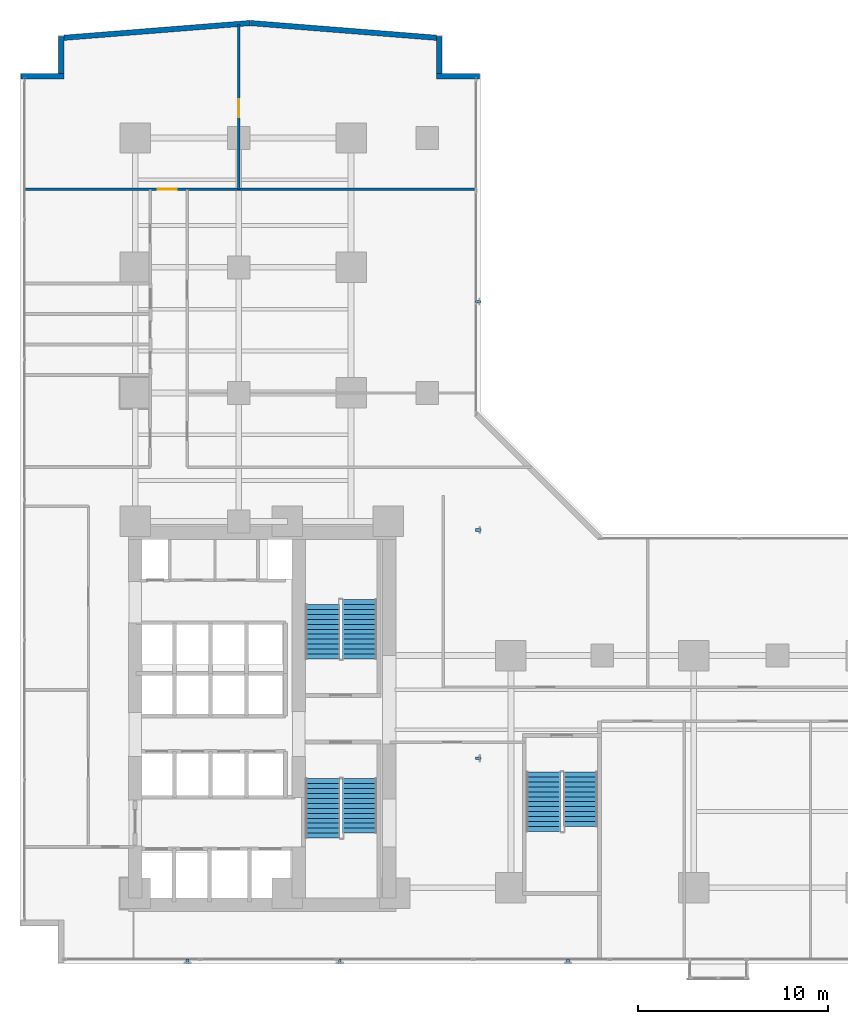
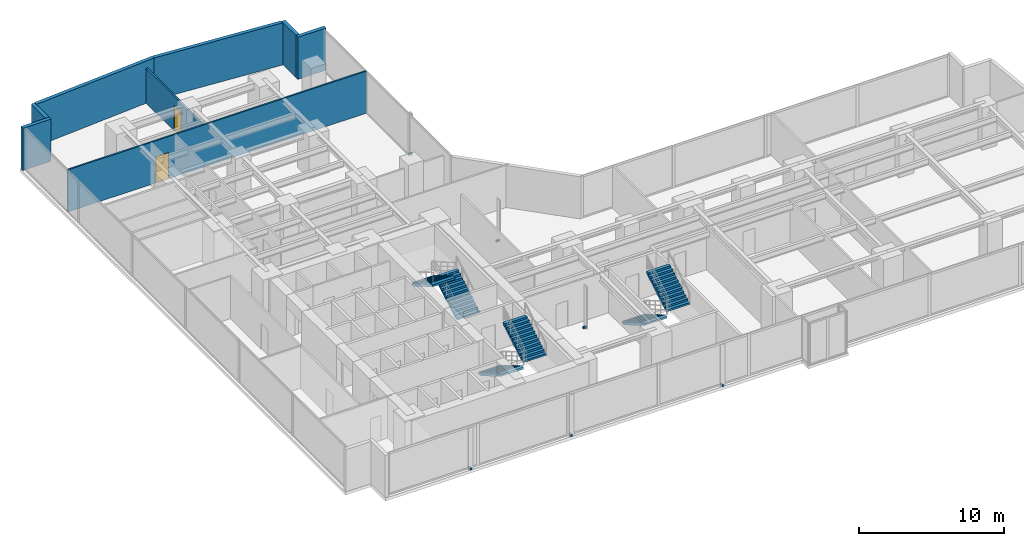
# One storey, part 25 of 30: 8 walls, 6 discrete accessories, 6 stair flights, 2 doors, 2 openings, 3 elements without a shape of their own.
"""IFC4 building model written with IfcOpenShell, lengths in metres."""

from ifc_helpers import new_model, si_unit, direction, frame, frame_2d, origin, origin_with_axes, origin_2d, place, context, subcontext, project, spatial, polyline, rectangle, outline, extrude, source, transform, mapped, material, layer, layer_set, type_object, element, fill, aggregate, save


model = new_model("IFC4")

# Units and contexts
model_context = context("Model", 3, precision=1e-05, world=origin(), true_north=direction((0.0, 1.0)))
body_context = subcontext(model_context, "Body", "Model", "MODEL_VIEW")
ifc_project = project(units=[si_unit("LENGTHUNIT", "METRE"), si_unit("AREAUNIT", "SQUARE_METRE"), si_unit("VOLUMEUNIT", "CUBIC_METRE"), si_unit("PLANEANGLEUNIT", "RADIAN"), si_unit("MASSUNIT", "GRAM", prefix="KILO")], contexts=[model_context])

# Site, building, storey
site_placement = place(None, origin())
site = spatial("IfcSite", under=ifc_project, at=site_placement, CompositionType="ELEMENT")
building_placement = place(site_placement, origin())
building = spatial("IfcBuilding", under=site, at=building_placement, Name="Kolvaren Waterfront Exchange", CompositionType="ELEMENT")
storey_placement = place(building_placement, frame((0.0, 0.0, 71.39990234375)))
storey = spatial("IfcBuildingStorey", under=building, at=storey_placement, Name="L18", CompositionType="ELEMENT", Elevation=71.39990234375)

# Walls
ifc_material_1 = material(Name="Precast concrete C40/50", Category="concrete")
ifc_layer_1 = layer(ifc_material_1, 0.280029296875, Name="Precast concrete C40/50")
ifc_layer_set_1 = layer_set([ifc_layer_1], Name="Precast concrete C40/50")
wall_type_1 = type_object("IfcWallType", Name="ARC-EXT-TERR-280", PredefinedType="SOLIDWALL", material=ifc_layer_set_1)
wall_1_placement = place(storey_placement, frame((23.300048828125, 47.840087890625, 0.0), z_axis=(0.0, 0.0, 1.0), x_axis=(1.0, 0.0, 0.0)))
element("IfcWall", 1, at=wall_1_placement, inside=storey, type_object=wall_type_1, Name="L18 notched corner spandrel pier NNE-A", PredefinedType="SOLIDWALL", context=body_context, shape_type="SweptSolid", body=[
    extrude(rectangle(XDim=2.239990234375, YDim=0.280029296875, at=frame_2d((1.1201171875, 0.0))), origin(), (0.0, 0.0, 1.0), 3.5400390625),
])
wall_2_placement = place(storey_placement, frame((23.43994140625, 47.97998046875, 0.0), z_axis=(0.0, 0.0, 1.0), x_axis=(0.0, 1.0, 0.0)))
element("IfcWall", 2, at=wall_2_placement, inside=storey, type_object=wall_type_1, Name="L18 notched corner spandrel pier NNE-B", PredefinedType="SOLIDWALL", context=body_context, shape_type="SweptSolid", body=[
    extrude(rectangle(XDim=1.9599609375, YDim=0.280029296875, at=frame_2d((0.97998046875, 0.0))), origin(), (0.0, 0.0, 1.0), 3.5400390625),
])
wall_3_placement = place(storey_placement, frame((1.4599609375, 47.840087890625, 0.0), z_axis=(0.0, 0.0, 1.0), x_axis=(1.0, 0.0, 0.0)))
element("IfcWall", 3, at=wall_3_placement, inside=storey, type_object=wall_type_1, Name="L18 notched corner spandrel pier NW-A", PredefinedType="SOLIDWALL", context=body_context, shape_type="SweptSolid", body=[
    extrude(rectangle(XDim=2.239990234375, YDim=0.280029296875, at=frame_2d((1.1201171875, 0.0))), origin(), (0.0, 0.0, 1.0), 3.5400390625),
])
wall_4_placement = place(storey_placement, frame((3.56005859375, 47.97998046875, 0.0), z_axis=(0.0, 0.0, 1.0), x_axis=(0.0, 1.0, 0.0)))
element("IfcWall", 4, at=wall_4_placement, inside=storey, type_object=wall_type_1, Name="L18 notched corner spandrel pier NW-B", PredefinedType="SOLIDWALL", context=body_context, shape_type="SweptSolid", body=[
    extrude(rectangle(XDim=1.9599609375, YDim=0.280029296875, at=frame_2d((0.97998046875, 0.0))), origin(), (0.0, 0.0, 1.0), 3.5400390625),
])
for number, where, z_axis, x_axis, name in (
    (5, (23.288330078125, 49.8642578125, 0.0), (0.0, 0.0, 1.0), (-0.996878337682, 0.078953023125, 0.0), "L18 north prow faceted facade wall 1"),
    (6, (13.49267578125, 50.638916015625, 0.0), (0.0, 0.0, 1.0), (-0.996878337682, -0.078953023125, 0.0), "L18 north prow faceted facade wall 2"),
):
    element("IfcWall", number, at=place(storey_placement, frame(where, z_axis=z_axis, x_axis=x_axis)), inside=storey, type_object=wall_type_1, Name=name, PredefinedType="SOLIDWALL", context=body_context, shape_type="SweptSolid", body=[
        extrude(rectangle(XDim=9.8115234375, YDim=0.280029296875, at=frame_2d((4.90576171875, 0.0))), origin(), (0.0, 0.0, 1.0), 3.5400390625),
    ])

# Wall, opening, door
ifc_material_2 = material(Name="Acoustic gypsum steel stud", Category="steel")
ifc_layer_2 = layer(ifc_material_2, 0.125, Name="Acoustic gypsum steel stud")
ifc_layer_set_2 = layer_set([ifc_layer_2], Name="Acoustic gypsum steel stud")
wall_type_2 = type_object("IfcWallType", Name="ARC-PART-125", PredefinedType="PARTITIONING", material=ifc_layer_set_2)
wall_5_placement = place(storey_placement, frame((1.639892578125, 41.89990234375, 0.0), z_axis=(0.0, 0.0, 1.0), x_axis=(1.0, 0.0, 0.0)))
wall_5 = element("IfcWall", 7, at=wall_5_placement, inside=storey, type_object=wall_type_2, Name="L18 interior wall PW-L18-NTIP-S", PredefinedType="PARTITIONING", context=body_context, shape_type="SweptSolid", body=[
    extrude(rectangle(XDim=23.72021484375, YDim=0.125, at=frame_2d((11.860107421875, 0.0))), origin(), (0.0, 0.0, 1.0), 3.5400390625),
])
opening_1_placement = place(wall_5_placement, frame((7.010009765625, 0.0, 0.0)))
opening_1 = element("IfcOpeningElement", 8, at=opening_1_placement, cuts=wall_5, Name="Opening D03", PredefinedType="OPENING", context=body_context, shape_type="SweptSolid", body=[
    extrude(rectangle(XDim=1.0, YDim=2.199951171875, at=frame_2d((0.5, 1.10009765625))), frame((0.0, 0.072509765625, 0.0), z_axis=(0.0, -1.0, 0.0), x_axis=(1.0, 0.0, 0.0)), (0.0, 0.0, 1.0), 0.14501953125),
])
ifc_material_3 = material(Name="Oak veneer accessible timber", Category="wood")
door_type_1 = type_object("IfcDoorType", Name="ARC-DR-1000", OperationType="NOTDEFINED", PredefinedType="DOOR", material=ifc_material_3)
door_1_placement = place(opening_1_placement, origin())
door_1 = element("IfcDoor", 9, at=door_1_placement, inside=storey, type_object=door_type_1, Name="L18 door DR-L18-NTIPW-D (D03)", OperationType="SINGLE_SWING_LEFT", OverallHeight=2.199951171875, OverallWidth=1.0, PredefinedType="DOOR", context=body_context, shape_type="SweptSolid", body=[
    extrude(rectangle(XDim=1.0, YDim=2.199951171875, at=frame_2d((0.5, 1.10009765625))), frame((0.0, 0.02490234375, 0.0), z_axis=(0.0, -1.0, 0.0), x_axis=(1.0, 0.0, 0.0)), (0.0, 0.0, 1.0), 0.050048828125),
])
fill(opening_1, door_1)

wall_6_placement = place(storey_placement, frame((12.89990234375, 41.89990234375, 0.0), z_axis=(0.0, 0.0, 1.0), x_axis=(0.0, 1.0, 0.0)))
wall_6 = element("IfcWall", 10, at=wall_6_placement, inside=storey, type_object=wall_type_2, Name="L18 interior wall PW-L18-NTIP-DIV", PredefinedType="PARTITIONING", context=body_context, shape_type="SweptSolid", body=[
    extrude(rectangle(XDim=8.66015625, YDim=0.125, at=frame_2d((4.330078125, 0.0))), origin(), (0.0, 0.0, 1.0), 2.940185546875),
])
opening_2_placement = place(wall_6_placement, frame((3.77880859375, 0.0, 0.0)))
opening_2 = element("IfcOpeningElement", 11, at=opening_2_placement, cuts=wall_6, Name="Opening D02", PredefinedType="OPENING", context=body_context, shape_type="SweptSolid", body=[
    extrude(rectangle(XDim=0.949951171875, YDim=2.14990234375, at=frame_2d((0.47509765625, 1.074951171875))), frame((0.0, 0.072509765625, 0.0), z_axis=(0.0, -1.0, 0.0), x_axis=(1.0, 0.0, 0.0)), (0.0, 0.0, 1.0), 0.14501953125),
])
ifc_material_4 = material(Name="Oak veneer acoustic timber", Category="wood")
door_type_2 = type_object("IfcDoorType", Name="ARC-DR-950", OperationType="NOTDEFINED", PredefinedType="DOOR", material=ifc_material_4)
door_2_placement = place(opening_2_placement, origin())
door_2 = element("IfcDoor", 12, at=door_2_placement, inside=storey, type_object=door_type_2, Name="L18 door DR-L18-NTIPE-D (D02)", OperationType="SINGLE_SWING_RIGHT", OverallHeight=2.14990234375, OverallWidth=0.949951171875, PredefinedType="DOOR", context=body_context, shape_type="SweptSolid", body=[
    extrude(rectangle(XDim=0.949951171875, YDim=2.14990234375, at=frame_2d((0.47509765625, 1.074951171875))), frame((0.0, 0.02490234375, 0.0), z_axis=(0.0, -1.0, 0.0), x_axis=(1.0, 0.0, 0.0)), (0.0, 0.0, 1.0), 0.050048828125),
])
fill(opening_2, door_2)

# Stair, stair flights
ifc_material_5 = material(Name="Concrete C40/50", Category="concrete")
stair_type = type_object("IfcStairType", Name="ARC-STAIR-3800", PredefinedType="HALF_TURN_STAIR", material=ifc_material_5)
stair_1_placement = place(storey_placement, origin())
stair_1 = element("IfcStair", 13, at=stair_1_placement, inside=storey, type_object=stair_type, Name="L18 Smoke-proof exit stair ST1", PredefinedType="HALF_TURN_STAIR")
stair_flight_type = type_object("IfcStairFlightType", Name="ARC-FLIGHT-3800", PredefinedType="STRAIGHT", material=ifc_material_5)
stair_flight_1_placement = place(storey_placement, frame((17.300048828125, 10.929931640625, 0.0), z_axis=(0.0, 0.0, 1.0), x_axis=(0.0, -1.0, 0.0)))
stair_flight_1 = element("IfcStairFlight", 14, at=stair_flight_1_placement, type_object=stair_flight_type, Name="ST1 flight 1", NumberOfRisers=13, NumberOfTreads=12, PredefinedType="STRAIGHT", RiserHeight=0.152, TreadLength=0.26, context=body_context, shape_type="SweptSolid", body=[
    extrude(outline(polyline([(0.0, 0.0), (0.0, 0.152099609375), (0.260009765625, 0.152099609375), (0.260009765625, 0.303955078125), (0.52001953125, 0.303955078125), (0.52001953125, 0.4560546875), (0.780029296875, 0.4560546875), (0.780029296875, 0.60791015625), (1.0400390625, 0.60791015625), (1.0400390625, 0.760009765625), (1.300048828125, 0.760009765625), (1.300048828125, 0.912109375), (1.56005859375, 0.912109375), (1.56005859375, 1.06396484375), (1.820068359375, 1.06396484375), (1.820068359375, 1.216064453125), (2.080078125, 1.216064453125), (2.080078125, 1.367919921875), (2.340087890625, 1.367919921875), (2.340087890625, 1.52001953125), (2.60009765625, 1.52001953125), (2.60009765625, 1.672119140625), (2.860107421875, 1.672119140625), (2.860107421875, 1.823974609375), (3.1201171875, 1.823974609375), (3.1201171875, 1.97607421875), (3.1201171875, 1.650390625), (0.297119140625, 0.0), (0.0, 0.0)])), frame((0.0, 0.89990234375, 0.0), z_axis=(0.0, -1.0, 0.0), x_axis=(1.0, 0.0, 0.0)), (0.0, 0.0, 1.0), 1.800048828125),
])
stair_flight_2_placement = place(storey_placement, frame((19.260009765625, 8.070068359375, 1.97607421875), z_axis=(0.0, 0.0, 1.0), x_axis=(0.0, 1.0, 0.0)))
stair_flight_2 = element("IfcStairFlight", 15, at=stair_flight_2_placement, type_object=stair_flight_type, Name="ST1 flight 2", NumberOfRisers=12, NumberOfTreads=11, PredefinedType="STRAIGHT", RiserHeight=0.152, TreadLength=0.26, context=body_context, shape_type="SweptSolid", body=[
    extrude(outline(polyline([(0.0, 0.0), (0.0, 0.152099609375), (0.260009765625, 0.152099609375), (0.260009765625, 0.303955078125), (0.52001953125, 0.303955078125), (0.52001953125, 0.4560546875), (0.780029296875, 0.4560546875), (0.780029296875, 0.60791015625), (1.0400390625, 0.60791015625), (1.0400390625, 0.760009765625), (1.300048828125, 0.760009765625), (1.300048828125, 0.912109375), (1.56005859375, 0.912109375), (1.56005859375, 1.06396484375), (1.820068359375, 1.06396484375), (1.820068359375, 1.216064453125), (2.080078125, 1.216064453125), (2.080078125, 1.367919921875), (2.340087890625, 1.367919921875), (2.340087890625, 1.52001953125), (2.60009765625, 1.52001953125), (2.60009765625, 1.672119140625), (2.860107421875, 1.672119140625), (2.860107421875, 1.823974609375), (2.860107421875, 1.498291015625), (0.297119140625, 0.0), (0.0, 0.0)])), frame((0.0, 0.89990234375, 0.0), z_axis=(0.0, -1.0, 0.0), x_axis=(1.0, 0.0, 0.0)), (0.0, 0.0, 1.0), 1.800048828125),
])
aggregate(stair_1, [stair_flight_1, stair_flight_2])

stair_2_placement = place(storey_placement, origin())
stair_2 = element("IfcStair", 16, at=stair_2_placement, inside=storey, type_object=stair_type, Name="L18 Smoke-proof exit stair ST2", PredefinedType="HALF_TURN_STAIR")
stair_flight_3_placement = place(storey_placement, frame((19.260009765625, 17.219970703125, 0.0), z_axis=(0.0, 0.0, 1.0), x_axis=(0.0, 1.0, 0.0)))
stair_flight_3 = element("IfcStairFlight", 17, at=stair_flight_3_placement, type_object=stair_flight_type, Name="ST2 flight 1", NumberOfRisers=13, NumberOfTreads=12, PredefinedType="STRAIGHT", RiserHeight=0.152, TreadLength=0.26, context=body_context, shape_type="SweptSolid", body=[
    extrude(outline(polyline([(0.0, 0.0), (0.0, 0.152099609375), (0.260009765625, 0.152099609375), (0.260009765625, 0.303955078125), (0.52001953125, 0.303955078125), (0.52001953125, 0.4560546875), (0.780029296875, 0.4560546875), (0.780029296875, 0.60791015625), (1.0400390625, 0.60791015625), (1.0400390625, 0.760009765625), (1.300048828125, 0.760009765625), (1.300048828125, 0.912109375), (1.56005859375, 0.912109375), (1.56005859375, 1.06396484375), (1.820068359375, 1.06396484375), (1.820068359375, 1.216064453125), (2.080078125, 1.216064453125), (2.080078125, 1.367919921875), (2.340087890625, 1.367919921875), (2.340087890625, 1.52001953125), (2.60009765625, 1.52001953125), (2.60009765625, 1.672119140625), (2.860107421875, 1.672119140625), (2.860107421875, 1.823974609375), (3.1201171875, 1.823974609375), (3.1201171875, 1.97607421875), (3.1201171875, 1.650390625), (0.297119140625, 0.0), (0.0, 0.0)])), frame((0.0, 0.89990234375, 0.0), z_axis=(0.0, -1.0, 0.0), x_axis=(1.0, 0.0, 0.0)), (0.0, 0.0, 1.0), 1.800048828125),
])
stair_flight_4_placement = place(storey_placement, frame((17.300048828125, 20.080078125, 1.97607421875), z_axis=(0.0, 0.0, 1.0), x_axis=(0.0, -1.0, 0.0)))
stair_flight_4 = element("IfcStairFlight", 18, at=stair_flight_4_placement, type_object=stair_flight_type, Name="ST2 flight 2", NumberOfRisers=12, NumberOfTreads=11, PredefinedType="STRAIGHT", RiserHeight=0.152, TreadLength=0.26, context=body_context, shape_type="SweptSolid", body=[
    extrude(outline(polyline([(0.0, 0.0), (0.0, 0.152099609375), (0.260009765625, 0.152099609375), (0.260009765625, 0.303955078125), (0.52001953125, 0.303955078125), (0.52001953125, 0.4560546875), (0.780029296875, 0.4560546875), (0.780029296875, 0.60791015625), (1.0400390625, 0.60791015625), (1.0400390625, 0.760009765625), (1.300048828125, 0.760009765625), (1.300048828125, 0.912109375), (1.56005859375, 0.912109375), (1.56005859375, 1.06396484375), (1.820068359375, 1.06396484375), (1.820068359375, 1.216064453125), (2.080078125, 1.216064453125), (2.080078125, 1.367919921875), (2.340087890625, 1.367919921875), (2.340087890625, 1.52001953125), (2.60009765625, 1.52001953125), (2.60009765625, 1.672119140625), (2.860107421875, 1.672119140625), (2.860107421875, 1.823974609375), (2.860107421875, 1.498291015625), (0.297119140625, 0.0), (0.0, 0.0)])), frame((0.0, 0.89990234375, 0.0), z_axis=(0.0, -1.0, 0.0), x_axis=(1.0, 0.0, 0.0)), (0.0, 0.0, 1.0), 1.800048828125),
])
aggregate(stair_2, [stair_flight_3, stair_flight_4])

stair_3_placement = place(storey_placement, origin())
stair_3 = element("IfcStair", 19, at=stair_3_placement, inside=storey, type_object=stair_type, Name="L18 Exit stair ST3", PredefinedType="HALF_TURN_STAIR")
stair_flight_5_placement = place(storey_placement, frame((28.89990234375, 11.280029296875, 0.0), z_axis=(0.0, 0.0, 1.0), x_axis=(0.0, -1.0, 0.0)))
stair_flight_5 = element("IfcStairFlight", 20, at=stair_flight_5_placement, type_object=stair_flight_type, Name="ST3 flight 1", NumberOfRisers=13, NumberOfTreads=12, PredefinedType="STRAIGHT", RiserHeight=0.152, TreadLength=0.26, context=body_context, shape_type="SweptSolid", body=[
    extrude(outline(polyline([(0.0, 0.0), (0.0, 0.152099609375), (0.260009765625, 0.152099609375), (0.260009765625, 0.303955078125), (0.52001953125, 0.303955078125), (0.52001953125, 0.4560546875), (0.780029296875, 0.4560546875), (0.780029296875, 0.60791015625), (1.0400390625, 0.60791015625), (1.0400390625, 0.760009765625), (1.300048828125, 0.760009765625), (1.300048828125, 0.912109375), (1.56005859375, 0.912109375), (1.56005859375, 1.06396484375), (1.820068359375, 1.06396484375), (1.820068359375, 1.216064453125), (2.080078125, 1.216064453125), (2.080078125, 1.367919921875), (2.340087890625, 1.367919921875), (2.340087890625, 1.52001953125), (2.60009765625, 1.52001953125), (2.60009765625, 1.672119140625), (2.860107421875, 1.672119140625), (2.860107421875, 1.823974609375), (3.1201171875, 1.823974609375), (3.1201171875, 1.97607421875), (3.1201171875, 1.650390625), (0.297119140625, 0.0), (0.0, 0.0)])), frame((0.0, 0.89990234375, 0.0), z_axis=(0.0, -1.0, 0.0), x_axis=(1.0, 0.0, 0.0)), (0.0, 0.0, 1.0), 1.800048828125),
])
stair_flight_6_placement = place(storey_placement, frame((30.860107421875, 8.419921875, 1.97607421875), z_axis=(0.0, 0.0, 1.0), x_axis=(0.0, 1.0, 0.0)))
stair_flight_6 = element("IfcStairFlight", 21, at=stair_flight_6_placement, type_object=stair_flight_type, Name="ST3 flight 2", NumberOfRisers=12, NumberOfTreads=11, PredefinedType="STRAIGHT", RiserHeight=0.152, TreadLength=0.26, context=body_context, shape_type="SweptSolid", body=[
    extrude(outline(polyline([(0.0, 0.0), (0.0, 0.152099609375), (0.260009765625, 0.152099609375), (0.260009765625, 0.303955078125), (0.52001953125, 0.303955078125), (0.52001953125, 0.4560546875), (0.780029296875, 0.4560546875), (0.780029296875, 0.60791015625), (1.0400390625, 0.60791015625), (1.0400390625, 0.760009765625), (1.300048828125, 0.760009765625), (1.300048828125, 0.912109375), (1.56005859375, 0.912109375), (1.56005859375, 1.06396484375), (1.820068359375, 1.06396484375), (1.820068359375, 1.216064453125), (2.080078125, 1.216064453125), (2.080078125, 1.367919921875), (2.340087890625, 1.367919921875), (2.340087890625, 1.52001953125), (2.60009765625, 1.52001953125), (2.60009765625, 1.672119140625), (2.860107421875, 1.672119140625), (2.860107421875, 1.823974609375), (2.860107421875, 1.498291015625), (0.297119140625, 0.0), (0.0, 0.0)])), frame((0.0, 0.89990234375, 0.0), z_axis=(0.0, -1.0, 0.0), x_axis=(1.0, 0.0, 0.0)), (0.0, 0.0, 1.0), 1.800048828125),
])
aggregate(stair_3, [stair_flight_5, stair_flight_6])

# Discrete accessories
ifc_material_6 = material(Name="Stainless steel 316", Category="steel")
discrete_accessory_type = type_object("IfcDiscreteAccessoryType", Name="ARC-BRK-FIN", PredefinedType="BRACKET", material=ifc_material_6)
shared_shape = source(origin_with_axes(), body_context, "Body", "SweptSolid", [
    extrude(rectangle(XDim=0.280029296875, YDim=0.139892578125, at=origin_2d()), origin(), (0.0, 0.0, 1.0), 0.159912109375),
])
for number, where, z_axis, x_axis, name in (
    (22, (10.199951171875, 1.320068359375, 0.0), (0.0, 0.0, 1.0), (0.0, -1.0, 0.0), "L18 bronze fin anchor bracket FIN-L18-S1"),
    (23, (18.199951171875, 1.320068359375, 0.0), (0.0, 0.0, 1.0), (0.0, -1.0, 0.0), "L18 bronze fin anchor bracket FIN-L18-S2"),
    (24, (30.199951171875, 1.320068359375, 0.0), (0.0, 0.0, 1.0), (0.0, -1.0, 0.0), "L18 bronze fin anchor bracket FIN-L18-S3"),
    (25, (25.47998046875, 12.0, 0.0), (0.0, 0.0, 1.0), (1.0, 0.0, 0.0), "L18 bronze fin anchor bracket FIN-L18-E1"),
    (26, (25.47998046875, 24.0, 0.0), (0.0, 0.0, 1.0), (1.0, 0.0, 0.0), "L18 bronze fin anchor bracket FIN-L18-E2"),
    (27, (25.47998046875, 36.0, 0.0), (0.0, 0.0, 1.0), (1.0, 0.0, 0.0), "L18 bronze fin anchor bracket FIN-L18-E3"),
):
    element("IfcDiscreteAccessory", number, at=place(storey_placement, frame(where, z_axis=z_axis, x_axis=x_axis)), inside=storey, type_object=discrete_accessory_type, Name=name, PredefinedType="BRACKET", context=body_context, shape_type="MappedRepresentation", body=[
        mapped(shared_shape, transform((0.0, 0.0, 0.0), x_axis=(1.0, 0.0, 0.0), y_axis=(0.0, 1.0, 0.0), z_axis=(0.0, 0.0, 1.0), scale=1.0)),
    ])

save(model, "model.ifc")
